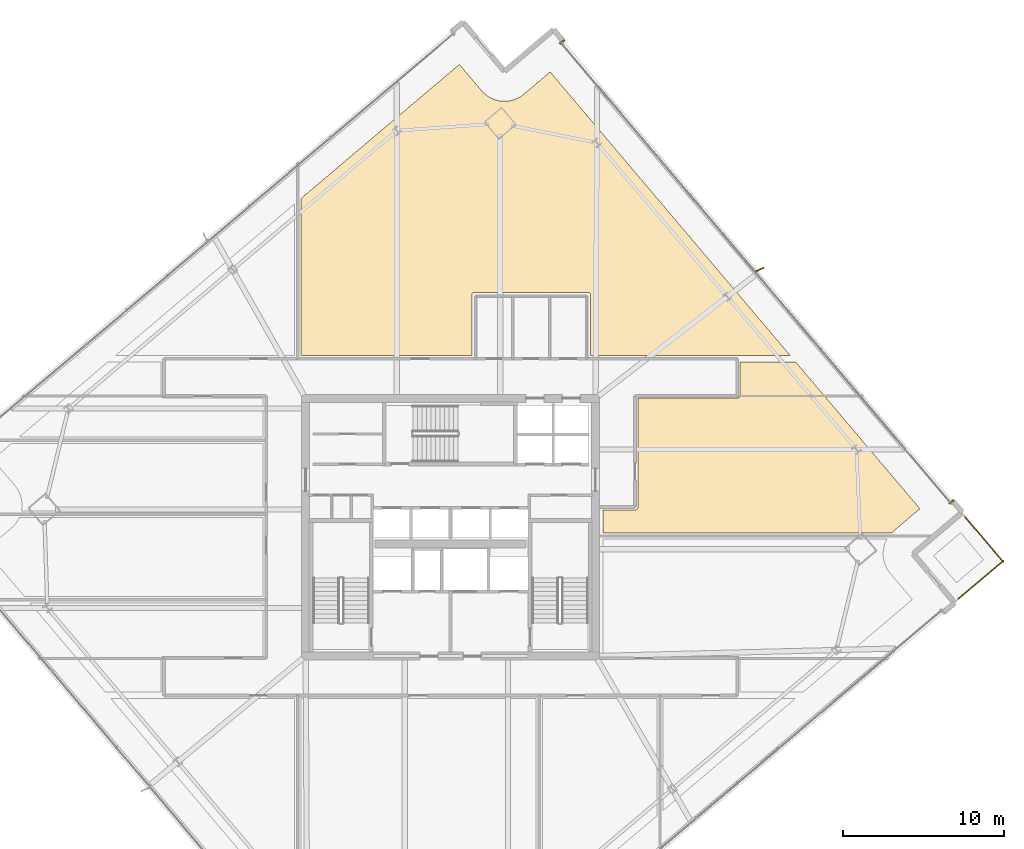
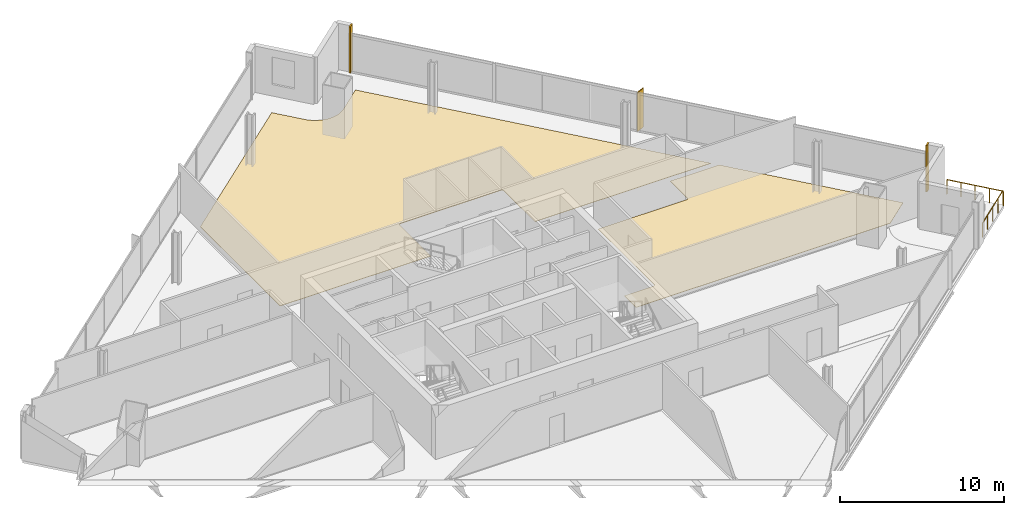
# One storey, part 34 of 34: 4 coverings, 2 railings, 1 shading device.
"""IFC4 building model written with IfcOpenShell, lengths in metres."""

from ifc_helpers import new_model, si_unit, direction, frame, origin, origin_2d, place, context, subcontext, project, spatial, polyline, rectangle, outline, extrude, source, transform, mapped, material, layer, layer_set, type_object, element, save


model = new_model("IFC4")

# Units and contexts
model_context = context("Model", 3, precision=1e-05, world=origin(), true_north=direction((0.0, 1.0)))
body_context = subcontext(model_context, "Body", "Model", "MODEL_VIEW")
ifc_project = project(units=[si_unit("LENGTHUNIT", "METRE"), si_unit("AREAUNIT", "SQUARE_METRE"), si_unit("VOLUMEUNIT", "CUBIC_METRE"), si_unit("PLANEANGLEUNIT", "RADIAN"), si_unit("MASSUNIT", "GRAM", prefix="KILO")], contexts=[model_context])

# Site, building, storey
site_placement = place(None, origin())
site = spatial("IfcSite", under=ifc_project, at=site_placement, CompositionType="ELEMENT")
building_placement = place(site_placement, origin())
building = spatial("IfcBuilding", under=site, at=building_placement, Name="Haldenkirk Collegiate Tower", CompositionType="ELEMENT")
storey_placement = place(building_placement, frame((0.0, 0.0, 163.199951171875)))
storey = spatial("IfcBuildingStorey", under=building, at=storey_placement, Name="L40", CompositionType="ELEMENT", Elevation=163.199951171875)

# Coverings
ifc_material_1 = material(Name="Polished collegiate terrazzo", Category="concrete")
ifc_layer_1 = layer(ifc_material_1, 0.02490234375)
ifc_layer_set_1 = layer_set([ifc_layer_1], Name="Polished collegiate terrazzo")
covering_type_1 = type_object("IfcCoveringType", Name="COV-FLOOR-TERRAZZO", PredefinedType="FLOORING", material=ifc_layer_set_1)
covering_1_placement = place(storey_placement, origin())
element("IfcCovering", 1, at=covering_1_placement, inside=storey, type_object=covering_type_1, Name="L40 academic room finish 06", PredefinedType="FLOORING", context=body_context, shape_type="SweptSolid", body=[
    extrude(outline(polyline([(37.9189453125, 53.1083984375), (37.9228515625, 53.10400390625), (38.040283203125, 52.978515625), (38.048583984375, 52.97021484375), (38.177734375, 52.85693359375), (38.18701171875, 52.849609375), (38.326416015625, 52.749267578125), (38.336181640625, 52.742919921875), (38.48486328125, 52.656982421875), (38.495361328125, 52.651611328125), (38.65185546875, 52.58056640625), (38.66259765625, 52.576171875), (38.8251953125, 52.520751953125), (38.83642578125, 52.517578125), (39.00390625, 52.478515625), (39.015380859375, 52.476318359375), (39.185546875, 52.45361328125), (39.197265625, 52.45263671875), (39.368896484375, 52.447021484375), (39.380859375, 52.447021484375), (39.55224609375, 52.458251953125), (39.563720703125, 52.45947265625), (39.7333984375, 52.4873046875), (39.744873046875, 52.48974609375), (39.910888671875, 52.533935546875), (39.921875, 52.53759765625), (40.082763671875, 52.597900390625), (40.093505859375, 52.6025390625), (40.247802734375, 52.67822265625), (40.258056640625, 52.68408203125), (40.404052734375, 52.774658203125), (40.41357421875, 52.78125), (40.5498046875, 52.885498046875), (40.554443359375, 52.889404296875), (42.18017578125, 54.265625), (57.093017578125, 36.64990234375), (44.669921875, 36.64990234375), (44.669921875, 40.449951171875), (44.66943359375, 40.4619140625), (44.667724609375, 40.473388671875), (44.664794921875, 40.48486328125), (44.660888671875, 40.495849609375), (44.65576171875, 40.506591796875), (44.64990234375, 40.5166015625), (44.642822265625, 40.526123046875), (44.635009765625, 40.534912109375), (44.626220703125, 40.542724609375), (44.61669921875, 40.5498046875), (44.606689453125, 40.555908203125), (44.595947265625, 40.560791015625), (44.584716796875, 40.564697265625), (44.573486328125, 40.567626953125), (44.561767578125, 40.5693359375), (44.550048828125, 40.570068359375), (37.449951171875, 40.570068359375), (37.438232421875, 40.5693359375), (37.426513671875, 40.567626953125), (37.415283203125, 40.564697265625), (37.404052734375, 40.560791015625), (37.393310546875, 40.555908203125), (37.38330078125, 40.5498046875), (37.373779296875, 40.542724609375), (37.364990234375, 40.534912109375), (37.357177734375, 40.526123046875), (37.35009765625, 40.5166015625), (37.34423828125, 40.506591796875), (37.339111328125, 40.495849609375), (37.335205078125, 40.48486328125), (37.332275390625, 40.473388671875), (37.33056640625, 40.4619140625), (37.330078125, 40.449951171875), (37.330078125, 36.64990234375), (26.699951171875, 36.64990234375), (26.699951171875, 46.401611328125), (36.542724609375, 54.73388671875), (37.9189453125, 53.1083984375)])), origin(), (0.0, 0.0, 1.0), 0.025146484375),
])
covering_2_placement = place(storey_placement, origin())
element("IfcCovering", 2, at=covering_2_placement, inside=storey, type_object=covering_type_1, Name="L40 academic room finish 12", PredefinedType="FLOORING", context=body_context, shape_type="SweptSolid", body=[
    extrude(outline(polyline([(63.38818359375, 25.64990234375), (45.449951171875, 25.64990234375), (45.449951171875, 27.080078125), (47.5, 27.080078125), (47.51171875, 27.08056640625), (47.5234375, 27.082275390625), (47.534912109375, 27.085205078125), (47.5458984375, 27.089111328125), (47.556640625, 27.09423828125), (47.566650390625, 27.10009765625), (47.576171875, 27.107177734375), (47.5849609375, 27.114990234375), (47.5927734375, 27.123779296875), (47.599853515625, 27.13330078125), (47.605712890625, 27.143310546875), (47.61083984375, 27.154052734375), (47.61474609375, 27.165283203125), (47.61767578125, 27.176513671875), (47.619384765625, 27.188232421875), (47.6201171875, 27.199951171875), (47.6201171875, 34.030029296875), (53.85009765625, 34.030029296875), (53.86181640625, 34.030517578125), (53.873291015625, 34.0322265625), (53.884765625, 34.03515625), (53.89599609375, 34.0390625), (53.906494140625, 34.044189453125), (53.916748046875, 34.05029296875), (53.926025390625, 34.05712890625), (53.934814453125, 34.065185546875), (53.94287109375, 34.073974609375), (53.94970703125, 34.083251953125), (53.955810546875, 34.093505859375), (53.9609375, 34.10400390625), (53.96484375, 34.115234375), (53.9677734375, 34.126708984375), (53.969482421875, 34.13818359375), (53.969970703125, 34.14990234375), (53.969970703125, 36.25), (57.431396484375, 36.25), (65.14013671875, 27.14404296875), (63.5146484375, 25.767822265625), (63.51025390625, 25.763916015625), (63.38818359375, 25.64990234375)])), origin(), (0.0, 0.0, 1.0), 0.025146484375),
])

# Railings
ifc_material_2 = material(Name="Anodised architectural bronze aluminium", Category="aluminium")
railing_type = type_object("IfcRailingType", Name="RLG-TERR-BALUSTRADE-1100", PredefinedType="BALUSTRADE", material=ifc_material_2)
railing_1_placement = place(storey_placement, frame((67.5126953125, 21.540283203125, 0.0)))
element("IfcRailing", 3, at=railing_1_placement, inside=storey, type_object=railing_type, Name="L40 terrace guard balustrade 1-1", PredefinedType="BALUSTRADE", context=body_context, shape_type="SweptSolid", body=[
    extrude(rectangle(XDim=0.048095703125, YDim=0.048095703125, at=origin_2d()), frame((0.0, 0.0, 1.076171875), z_axis=(0.763227721775, 0.646129588175, 0.0), x_axis=(-0.646129588175, 0.763227721775, 0.0)), (0.0, 0.0, 1.0), 3.679931640625),
    extrude(rectangle(XDim=0.0419921875, YDim=0.0419921875, at=origin_2d()), origin(), (0.0, 0.0, 1.0), 1.052001953125),
    extrude(rectangle(XDim=0.0419921875, YDim=0.0419921875, at=origin_2d()), frame((0.7021484375, 0.594482421875, 0.0)), (0.0, 0.0, 1.0), 1.052001953125),
    extrude(rectangle(XDim=0.0419921875, YDim=0.0419921875, at=origin_2d()), frame((1.404296875, 1.18896484375, 0.0)), (0.0, 0.0, 1.0), 1.052001953125),
    extrude(rectangle(XDim=0.0419921875, YDim=0.0419921875, at=origin_2d()), frame((2.1064453125, 1.783203125, 0.0)), (0.0, 0.0, 1.0), 1.052001953125),
    extrude(rectangle(XDim=0.0419921875, YDim=0.0419921875, at=origin_2d()), frame((2.80859375, 2.377685546875, 0.0)), (0.0, 0.0, 1.0), 1.052001953125),
])
railing_2_placement = place(storey_placement, frame((70.314453125, 23.83349609375, 0.0)))
element("IfcRailing", 4, at=railing_2_placement, inside=storey, type_object=railing_type, Name="L40 terrace guard balustrade 2-1", PredefinedType="BALUSTRADE", context=body_context, shape_type="SweptSolid", body=[
    extrude(rectangle(XDim=0.048095703125, YDim=0.048095703125, at=origin_2d()), frame((0.0, 0.0, 1.076171875), z_axis=(-0.646129588175, 0.763227721775, 0.0), x_axis=(-0.763227721775, -0.646129588175, 0.0)), (0.0, 0.0, 1.0), 3.679931640625),
    extrude(rectangle(XDim=0.0419921875, YDim=0.0419921875, at=origin_2d()), origin(), (0.0, 0.0, 1.0), 1.052001953125),
    extrude(rectangle(XDim=0.0419921875, YDim=0.0419921875, at=origin_2d()), frame((-0.594482421875, 0.7021484375, 0.0)), (0.0, 0.0, 1.0), 1.052001953125),
    extrude(rectangle(XDim=0.0419921875, YDim=0.0419921875, at=origin_2d()), frame((-1.18896484375, 1.404296875, 0.0)), (0.0, 0.0, 1.0), 1.052001953125),
    extrude(rectangle(XDim=0.0419921875, YDim=0.0419921875, at=origin_2d()), frame((-1.783203125, 2.1064453125, 0.0)), (0.0, 0.0, 1.0), 1.052001953125),
    extrude(rectangle(XDim=0.0419921875, YDim=0.0419921875, at=origin_2d()), frame((-2.377685546875, 2.80859375, 0.0)), (0.0, 0.0, 1.0), 1.052001953125),
])

# Coverings
ifc_layer_2 = layer(ifc_material_2, 0.06005859375)
ifc_layer_set_2 = layer_set([ifc_layer_2], Name="Anodised architectural bronze aluminium")
covering_type_2 = type_object("IfcCoveringType", Name="COV-CLAD-BRONZE-60", PredefinedType="CLADDING", material=ifc_layer_set_2)
shared_shape_1 = source(origin(), body_context, "Body", "SweptSolid", [
    extrude(rectangle(XDim=0.10009765625, YDim=0.3798828125, at=origin_2d()), origin(), (0.0, 0.0, 1.0), 3.4599609375),
])
for number, where, z_axis, x_axis, name in (
    (5, (42.931396484375, 56.13330078125, 0.0), (0.0, 0.0, 1.0), (0.646123979643, -0.763232469783, 0.0), "L40 recessed curtain-wall bronze jamb closure EJL"),
    (6, (67.106201171875, 27.57666015625, 0.0), (0.0, 0.0, 1.0), (0.646123979643, -0.763232469783, 0.0), "L40 recessed curtain-wall bronze jamb closure EJR"),
):
    element("IfcCovering", number, at=place(storey_placement, frame(where, z_axis=z_axis, x_axis=x_axis)), inside=storey, type_object=covering_type_2, Name=name, PredefinedType="CLADDING", context=body_context, shape_type="MappedRepresentation", body=[
        mapped(shared_shape_1, transform((0.0, 0.0, 0.0), x_axis=(1.0, 0.0, 0.0), y_axis=(0.0, 1.0, 0.0), z_axis=(0.0, 0.0, 1.0), scale=1.0)),
    ])

# Shading device
ifc_layer_3 = layer(ifc_material_2, 0.06494140625)
ifc_layer_set_3 = layer_set([ifc_layer_3], Name="Anodised architectural bronze aluminium")
shading_device_type = type_object("IfcShadingDeviceType", Name="SHD-FIN-BRONZE-620", PredefinedType="USERDEFINED", material=ifc_layer_set_3)
shared_shape_2 = source(origin(), body_context, "Body", "SweptSolid", [
    extrude(rectangle(XDim=0.6201171875, YDim=0.06494140625, at=origin_2d()), origin(), (0.0, 0.0, 1.0), 2.910888671875),
])
shading_device_placement = place(storey_placement, frame((55.17529296875, 41.9873046875, 0.0), z_axis=(0.0, 0.0, 1.0), x_axis=(0.911762043577, 0.410718852613, 0.0)))
element("IfcShadingDevice", 7, at=shading_device_placement, inside=storey, type_object=shading_device_type, Name="L40 folded bronze solar fin 1", ObjectType="FIN", PredefinedType="USERDEFINED", context=body_context, shape_type="MappedRepresentation", body=[
    mapped(shared_shape_2, transform((0.0, 0.0, 0.0), x_axis=(1.0, 0.0, 0.0), y_axis=(0.0, 1.0, 0.0), z_axis=(0.0, 0.0, 1.0), scale=1.0)),
])

save(model, "model.ifc")
